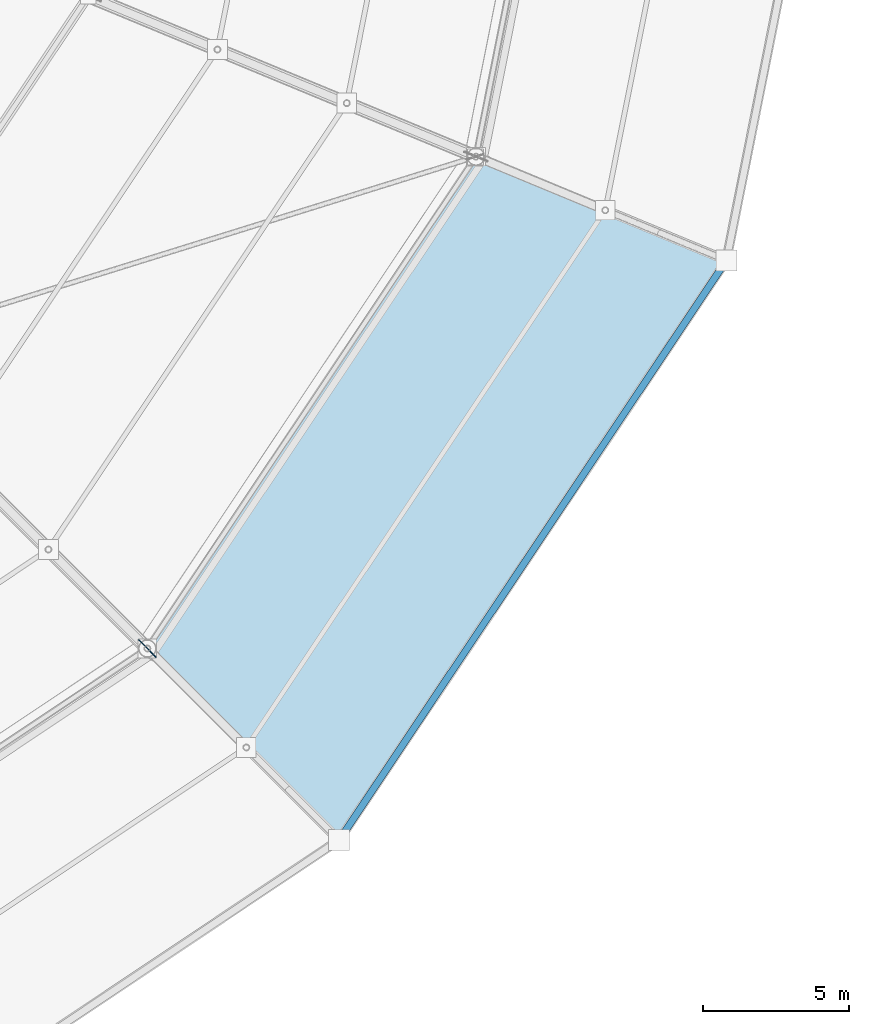
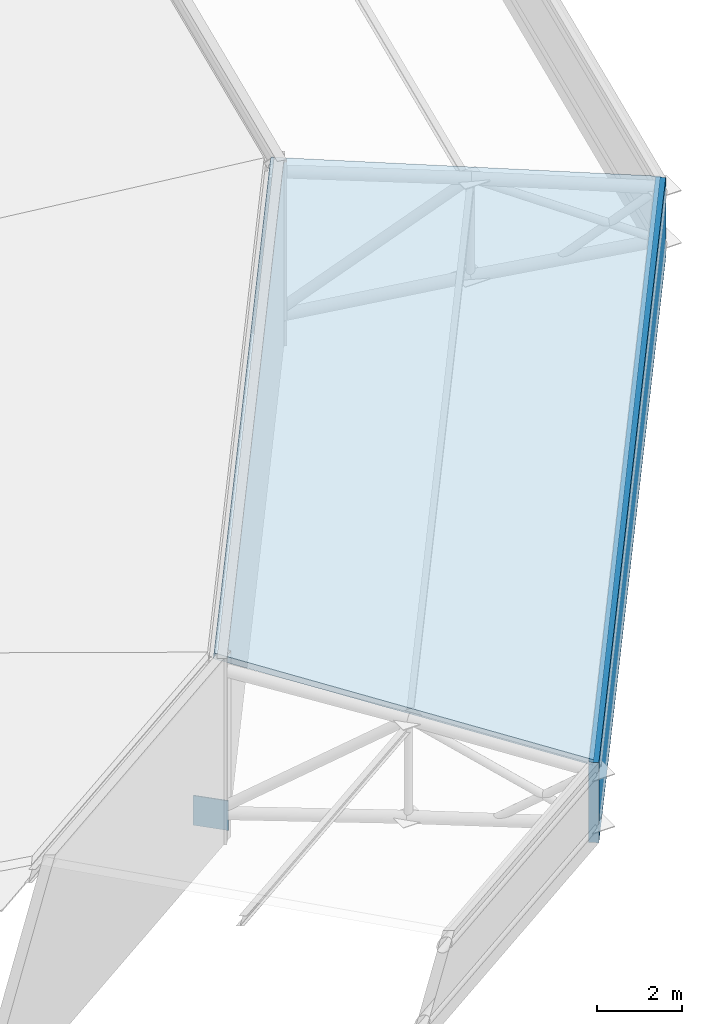
# One storey, part 113 of 146: 2 plates, 1 slab.
"""IFC4 building model written with IfcOpenShell, lengths in metres."""

from ifc_helpers import new_model, si_unit, direction, frame, origin, origin_2d, place, context, subcontext, project, spatial, polyline, rectangle, outline, extrude, material, layer, layer_set, type_object, element, save


model = new_model("IFC4")

# Units and contexts
model_context = context("Model", 3, precision=1e-05, world=origin(), true_north=direction((0.0, 1.0)))
body_context = subcontext(model_context, "Body", "Model", "MODEL_VIEW")
ifc_project = project(units=[si_unit("LENGTHUNIT", "METRE"), si_unit("AREAUNIT", "SQUARE_METRE"), si_unit("VOLUMEUNIT", "CUBIC_METRE"), si_unit("PLANEANGLEUNIT", "RADIAN"), si_unit("MASSUNIT", "GRAM", prefix="KILO")], contexts=[model_context])

# Site, building, storey
site_placement = place(None, origin())
site = spatial("IfcSite", under=ifc_project, at=site_placement, CompositionType="ELEMENT")
building_placement = place(site_placement, origin())
building = spatial("IfcBuilding", under=site, at=building_placement, Name="Candeia Ridge Stadium", CompositionType="ELEMENT")
storey_placement = place(building_placement, frame((0.0, 0.0, 31.800048828125)))
storey = spatial("IfcBuildingStorey", under=building, at=storey_placement, Name="RF", CompositionType="ELEMENT", Elevation=31.800048828125)

# Plates
ifc_material_1 = material(Name="Aluminium Anodized Warm Bronze", Category="aluminium")
ifc_layer_1 = layer(ifc_material_1, 0.239990234375, Name="Aluminium Anodized Warm Bronze", Category="aluminium")
ifc_layer_set_1 = layer_set([ifc_layer_1], Name="Aluminium Anodized Warm Bronze")
plate_type_1 = type_object("IfcPlateType", Name="Crown Perforated Bronze Acoustic Screen", PredefinedType="SHEET", material=ifc_layer_set_1)
plate_1_placement = place(storey_placement, frame((190.98974609375, 37.597900390625, 1.25), z_axis=(0.0, 0.0, 1.0), x_axis=(0.555570200194, 0.831469634236, 0.0)))
element("IfcPlate", 1, at=plate_1_placement, inside=storey, type_object=plate_type_1, Name="Saddle roof outer eaves warm-bronze fascia bay 28", PredefinedType="SHEET", context=body_context, shape_type="SweptSolid", body=[
    extrude(rectangle(XDim=23.97802734375, YDim=0.239990234375, at=origin_2d()), origin(), (0.0, 0.0, 1.0), 2.300048828125),
])
ifc_material_2 = material(Name="Steel ASTM A572 Grade 50", Category="steel")
ifc_layer_2 = layer(ifc_material_2, 0.028076171875, Name="Steel ASTM A572 Grade 50", Category="steel")
ifc_layer_set_2 = layer_set([ifc_layer_2], Name="Steel ASTM A572 Grade 50")
plate_type_2 = type_object("IfcPlateType", Name="Roof Truss Outer Tie Node Gusset ND-2", PredefinedType="USERDEFINED", material=ifc_layer_set_2)
plate_2_placement = place(storey_placement, frame((177.76953125, 34.23046875, -0.025146484375), z_axis=(0.0, 0.0, 1.0), x_axis=(0.707106781187, -0.707106781187, 0.0)))
element("IfcPlate", 2, at=plate_2_placement, inside=storey, type_object=plate_type_2, Name="Roof truss outer support node ND-2 bay 28", ObjectType="GUSSET PLATE", PredefinedType="USERDEFINED", context=body_context, shape_type="SweptSolid", body=[
    extrude(rectangle(XDim=0.85009765625, YDim=0.028076171875, at=origin_2d()), origin(), (0.0, 0.0, 1.0), 0.85009765625),
])

# Slab
ifc_layer_3 = layer(ifc_material_2, 0.1650390625, Name="Steel ASTM A572 Grade 50", Category="steel")
ifc_layer_set_3 = layer_set([ifc_layer_3], Name="Steel ASTM A572 Grade 50")
slab_type = type_object("IfcSlabType", Name="Saddle Eaves Roof Deck 165", PredefinedType="ROOF", material=ifc_layer_set_3)
slab_placement = place(storey_placement, frame((177.825927734375, 34.174072265625, 4.988037109375), z_axis=(0.126159658461, -0.084296794497, 0.988421868948), x_axis=(0.555586657838, 0.831458637348, -3.364062e-06)))
element("IfcSlab", 3, at=slab_placement, inside=storey, type_object=slab_type, Name="Stadium saddle roof eave deck bay 28", PredefinedType="ROOF", context=body_context, shape_type="SweptSolid", body=[
    extrude(outline(polyline([(0.0, 0.0), (20.32091695834634, 0.0), (22.119996267848006, -9.148505019899881), (-1.7986860245924663, -9.149485867843724), (0.0, 0.0)])), origin(), (0.0, 0.0, -1.0), 0.1650390625),
])

save(model, "model.ifc")
